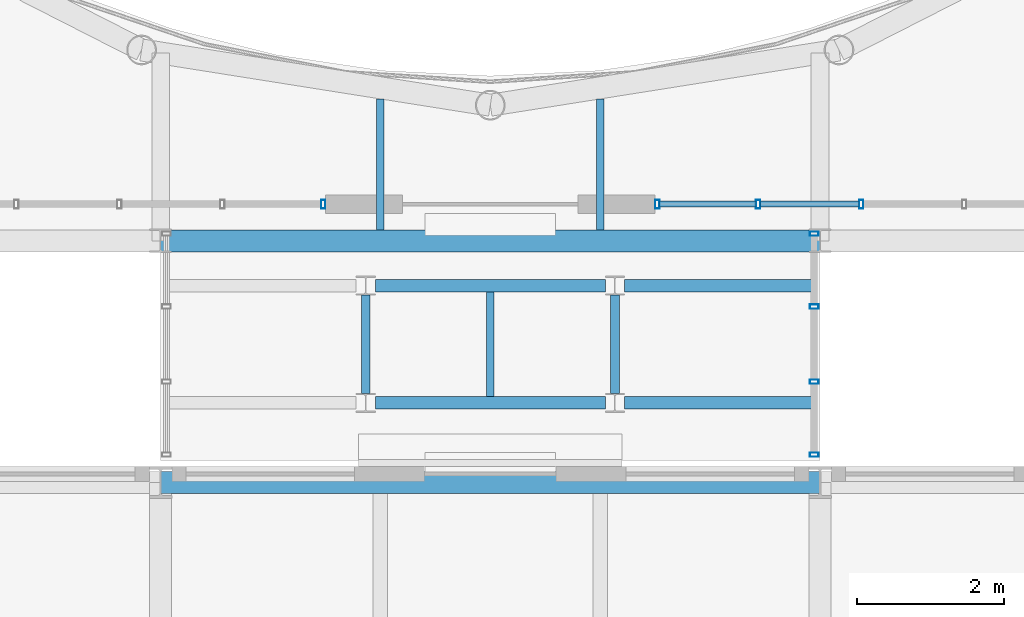
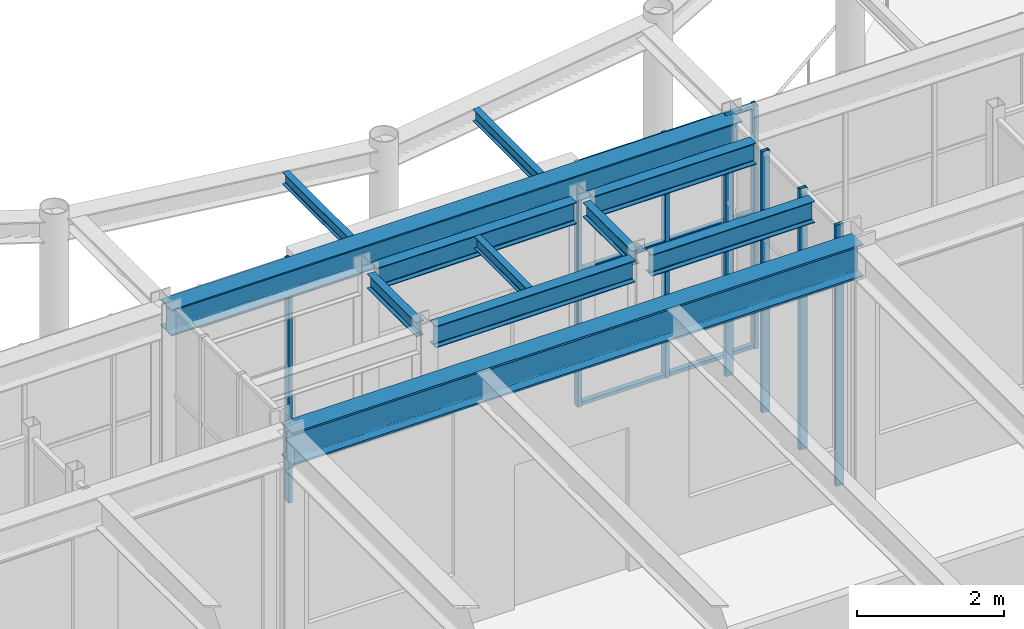
# One storey, part 39 of 111: 14 members, 11 beams, 3 elements without a shape of their own.
"""IFC4 building model written with IfcOpenShell, lengths in metres."""

import ifcopenshell
import ifcopenshell.guid

model = None  # the IFC model being written
_history = None  # IfcOwnerHistory: only IFC2X3 demands one
_inside = {}  # id of a spatial element -> (the spatial element, [elements in it])
_under = {}  # id of a project, library or spatial element -> (it, [spatial elements below it])
_declared = {}  # id of a project -> (the project, [libraries it declares])
_typed = {}  # id of a type object -> (the type object, [elements of that type])
_made_of = {}  # id of a material, layer set ... -> (it, [elements and type objects made of it])


def new_model(schema):
    """Start an empty IFC model of exactly this schema.

    Asked for "IFC4X3", IfcOpenShell would pick the latest addendum, in which some entities
    have other attributes; the version numbers below select the first issue.
    IFC2X3 requires an IfcOwnerHistory on every rooted entity: one is made here for all.
    """
    global model, _history
    if schema == "IFC4X3":
        model = ifcopenshell.file(schema_version=(4, 3, 0, 0))
    else:
        model = ifcopenshell.file(schema=schema)
    _inside.clear()
    _under.clear()
    _declared.clear()
    _typed.clear()
    _made_of.clear()
    _history = None
    if model.schema == "IFC2X3":
        org = make("IfcOrganization", Name="unknown")
        user = make(
            "IfcPersonAndOrganization",
            ThePerson=make("IfcPerson", FamilyName="unknown"),
            TheOrganization=org,
        )
        app = make(
            "IfcApplication",
            ApplicationDeveloper=org,
            Version="unknown",
            ApplicationFullName="unknown",
            ApplicationIdentifier="unknown",
        )
        _history = make(
            "IfcOwnerHistory",
            OwningUser=user,
            OwningApplication=app,
            ChangeAction="ADDED",
            CreationDate=0,
        )
    return model


def make(cls, **values):
    """One entity of the class cls with the attributes given. An attribute that is None is left unset."""
    return model.create_entity(
        cls, **{name: value for name, value in values.items() if value is not None}
    )


def rooted(cls, **values):
    """An entity with a GlobalId (a new one), such as an element, a storey or a relation."""
    return make(cls, GlobalId=ifcopenshell.guid.new(), OwnerHistory=_history, **values)


def si_unit(unit_type, name, prefix=None):
    """IfcSIUnit, for example si_unit("LENGTHUNIT", "METRE", prefix="MILLI")."""
    return make("IfcSIUnit", UnitType=unit_type, Prefix=prefix, Name=name)


def assignment(units):
    """IfcUnitAssignment: the units of a project."""
    return None if units is None else make("IfcUnitAssignment", Units=units)


def point(xyz):
    """IfcCartesianPoint."""
    return None if xyz is None else make("IfcCartesianPoint", Coordinates=xyz)


def direction(xyz):
    """IfcDirection."""
    return None if xyz is None else make("IfcDirection", DirectionRatios=xyz)


def frame(location, z_axis=None, x_axis=None):
    """IfcAxis2Placement3D, a coordinate frame: its origin and axes. An axis left out is left unset."""
    return make(
        "IfcAxis2Placement3D",
        Location=point(location),
        Axis=direction(z_axis),
        RefDirection=direction(x_axis),
    )


def frame_2d(location, x_axis=None):
    """IfcAxis2Placement2D, a coordinate frame in the plane: its origin and x axis."""
    return make(
        "IfcAxis2Placement2D", Location=point(location), RefDirection=direction(x_axis)
    )


def origin():
    """The frame at (0, 0, 0) with its axes left unset."""
    return frame((0.0, 0.0, 0.0))


def origin_2d():
    """The frame at (0, 0) in the plane with its x axis left unset."""
    return frame_2d((0.0, 0.0))


def place(relative_to, where):
    """IfcLocalPlacement: puts the frame where relative to a parent placement (None: the world)."""
    return make(
        "IfcLocalPlacement", PlacementRelTo=relative_to, RelativePlacement=where
    )


def context(
    kind, dimensions, precision=None, world=None, true_north=None, identifier=None
):
    """IfcGeometricRepresentationContext, for example the 3D "Model" context."""
    return make(
        "IfcGeometricRepresentationContext",
        ContextIdentifier=identifier,
        ContextType=kind,
        CoordinateSpaceDimension=dimensions,
        Precision=precision,
        WorldCoordinateSystem=world,
        TrueNorth=true_north,
    )


def subcontext(parent, identifier, kind, view, scale=None):
    """IfcGeometricRepresentationSubContext, for example "Body" below "Model"."""
    return make(
        "IfcGeometricRepresentationSubContext",
        ContextIdentifier=identifier,
        ContextType=kind,
        ParentContext=parent,
        TargetScale=scale,
        TargetView=view,
    )


def project(units=None, contexts=None):
    """IfcProject with its units and contexts."""
    return rooted(
        "IfcProject",
        Name="project",
        RepresentationContexts=contexts,
        UnitsInContext=assignment(units),
    )


def spatial(cls, under=None, at=None, **own):
    """A site, building, storey or space (cls), placed at a placement, below another one or the project."""
    s = rooted(cls, ObjectPlacement=at, **own)
    if under is not None:
        _under.setdefault(under.id(), (under, []))[1].append(s)
    return s


def profile(cls, at=None, kind="AREA", **sizes):
    """A parametric profile (cls). Its sizes go by their IFC names, for example OverallWidth=200.0."""
    return make(cls, ProfileType=kind, Position=at, **sizes)


def hollow_rectangle(**sizes):
    """IfcRectangleHollowProfileDef."""
    return profile("IfcRectangleHollowProfileDef", **sizes)


def i_section(**sizes):
    """IfcIShapeProfileDef."""
    return profile("IfcIShapeProfileDef", **sizes)


def extrude(swept, where, along, depth):
    """IfcExtrudedAreaSolid: the profile swept, set in the frame where, extruded along a direction by depth."""
    return make(
        "IfcExtrudedAreaSolid",
        SweptArea=swept,
        Position=where,
        ExtrudedDirection=direction(along),
        Depth=depth,
    )


def shape(context_of_items, identifier, shape_type, items):
    """IfcShapeRepresentation: the items that make up one representation, for example the "Body"."""
    return make(
        "IfcShapeRepresentation",
        ContextOfItems=context_of_items,
        RepresentationIdentifier=identifier,
        RepresentationType=shape_type,
        Items=items,
    )


def material(Name=None, Category=None):
    """IfcMaterial."""
    return make("IfcMaterial", Name=Name, Category=Category)


def layer(
    of_material, thickness, ventilated=None, Name=None, Category=None, Priority=None
):
    """IfcMaterialLayer: one layer of a wall or slab, of a material (None: an air gap)."""
    return make(
        "IfcMaterialLayer",
        Material=of_material,
        LayerThickness=thickness,
        IsVentilated=ventilated,
        Name=Name,
        Category=Category,
        Priority=Priority,
    )


def layer_set(layers, Name=None):
    """IfcMaterialLayerSet."""
    return make("IfcMaterialLayerSet", MaterialLayers=layers, LayerSetName=Name)


def material_profile(
    of_material, cross_section, Name=None, Category=None, Priority=None
):
    """IfcMaterialProfile: a cross section and its material."""
    return make(
        "IfcMaterialProfile",
        Name=Name,
        Material=of_material,
        Profile=cross_section,
        Priority=Priority,
        Category=Category,
    )


def profile_set(profiles, Name=None, composite=None):
    """IfcMaterialProfileSet."""
    return make(
        "IfcMaterialProfileSet",
        Name=Name,
        MaterialProfiles=profiles,
        CompositeProfile=composite,
    )


def made_of(thing, what):
    """Note that an element or type object is made of a material, layer set ...; save() writes the relation."""
    if what is not None:
        _made_of.setdefault(what.id(), (what, []))[1].append(thing)
    return thing


def type_object(cls, material=None, **own):
    """A type object (cls), such as IfcWallType, which elements share."""
    return made_of(rooted(cls, **own), material)


def element(
    cls,
    number,
    at=None,
    inside=None,
    cuts=None,
    type_object=None,
    material=None,
    context=None,
    identifier="Body",
    shape_type=None,
    held_by="IfcProductDefinitionShape",
    body=None,
    shapes=None,
    **own,
):
    """One element of the class cls, such as IfcWall. Its Tag is "e" and its number.

    at: its placement. inside: the storey or other place that contains it. cuts: it is an
    opening in that element (IfcRelVoidsElement). A single representation is given by context,
    identifier, shape_type and body (its items); several are given by shapes. held_by: the class
    of the entity that holds the representations. save() writes the other relations.
    """
    e = rooted(cls, Tag="e%d" % number, ObjectPlacement=at, **own)
    if body is not None:
        shapes = [shape(context, identifier, shape_type, body)]
    if shapes is not None:
        e.Representation = make(held_by, Representations=shapes)
    if inside is not None:
        _inside.setdefault(inside.id(), (inside, []))[1].append(e)
    if cuts is not None:
        rooted(
            "IfcRelVoidsElement", RelatingBuildingElement=cuts, RelatedOpeningElement=e
        )
    if type_object is not None:
        _typed.setdefault(type_object.id(), (type_object, []))[1].append(e)
    return made_of(e, material)


def aggregate(whole, parts):
    """IfcRelAggregates: a whole, such as a stair, and the parts it consists of."""
    return rooted("IfcRelAggregates", RelatingObject=whole, RelatedObjects=parts)


def save(model, path):
    """Write the relations noted so far, then the file.

    IfcRelAggregates (storeys below a building ...), IfcRelContainedInSpatialStructure (elements
    in a storey), IfcRelDefinesByType, IfcRelAssociatesMaterial and IfcRelDeclares: one each for
    every whole, place, type object, material and project.
    """
    for whole, parts in _under.values():
        aggregate(whole, parts)
    for where, things in _inside.values():
        rooted(
            "IfcRelContainedInSpatialStructure",
            RelatedElements=things,
            RelatingStructure=where,
        )
    for kind, things in _typed.values():
        rooted("IfcRelDefinesByType", RelatedObjects=things, RelatingType=kind)
    for what, things in _made_of.values():
        rooted("IfcRelAssociatesMaterial", RelatedObjects=things, RelatingMaterial=what)
    for by, libraries in _declared.values():
        rooted("IfcRelDeclares", RelatingContext=by, RelatedDefinitions=libraries)
    model.write(path)


model = new_model("IFC4")

# Units and contexts
model_context = context("Model", 3, precision=1e-05, world=origin(), true_north=direction((0.0, 1.0)))
body_context = subcontext(model_context, "Body", "Model", "MODEL_VIEW")
ifc_project = project(units=[si_unit("LENGTHUNIT", "METRE"), si_unit("AREAUNIT", "SQUARE_METRE"), si_unit("VOLUMEUNIT", "CUBIC_METRE"), si_unit("PLANEANGLEUNIT", "RADIAN"), si_unit("MASSUNIT", "GRAM", prefix="KILO")], contexts=[model_context])

# Site, building, storey
site_placement = place(None, origin())
site = spatial("IfcSite", under=ifc_project, at=site_placement, CompositionType="ELEMENT")
building_placement = place(site_placement, origin())
building = spatial("IfcBuilding", under=site, at=building_placement, Name="Kallimachos Central Library", CompositionType="ELEMENT")
storey_placement = place(building_placement, frame((0.0, 0.0, 14.39990234375)))
storey = spatial("IfcBuildingStorey", under=building, at=storey_placement, Name="L03", CompositionType="ELEMENT", Elevation=14.39990234375)

# Curtain wall, members
ifc_material_1 = material(Name="Aluminium and laminated glass", Category="aluminium")
curtain_wall_type_1 = type_object("IfcCurtainWallType", Name="Link glazed wall", PredefinedType="NOTDEFINED", material=ifc_material_1)
curtain_wall_1_placement = place(storey_placement, origin())
curtain_wall_1 = element("IfcCurtainWall", 1, at=curtain_wall_1_placement, inside=storey, type_object=curtain_wall_type_1, Name="Reading Link glazed wall L03", PredefinedType="NOTDEFINED")
ifc_material_2 = material(Name="Anodised aluminium", Category="aluminium")
ifc_material_profile_1 = material_profile(ifc_material_2, hollow_rectangle(XDim=0.06005859375, YDim=0.1201171875, WallThickness=0.00390625, at=origin_2d()), Name="ALU MULLION 60x120")
ifc_profile_set_1 = profile_set([ifc_material_profile_1], Name="Anodised aluminium")
member_type_1 = type_object("IfcMemberType", Name="ALU MULLION 60x120 mullion", PredefinedType="MULLION", material=ifc_profile_set_1)
member_1_placement = place(storey_placement, frame((92.419921875, 84.22998046875, 0.0), z_axis=(0.0, 0.0, 1.0), x_axis=(0.0, 1.0, 0.0)))
member_1 = element("IfcMember", 2, at=member_1_placement, type_object=member_type_1, Name="CW69 mullion 1", PredefinedType="MULLION", context=body_context, shape_type="SweptSolid", body=[
    extrude(hollow_rectangle(XDim=0.06005859375, YDim=0.1201171875, WallThickness=0.00390625, at=origin_2d()), origin(), (0.0, 0.0, 1.0), 4.35009765625),
])
member_2_placement = place(storey_placement, frame((92.419921875, 85.22509765625, 0.0), z_axis=(0.0, 0.0, 1.0), x_axis=(0.0, 1.0, 0.0)))
member_2 = element("IfcMember", 3, at=member_2_placement, type_object=member_type_1, Name="CW69 mullion 2", PredefinedType="MULLION", context=body_context, shape_type="SweptSolid", body=[
    extrude(hollow_rectangle(XDim=0.06005859375, YDim=0.1201171875, WallThickness=0.00390625, at=origin_2d()), origin(), (0.0, 0.0, 1.0), 4.35009765625),
])
member_3_placement = place(storey_placement, frame((92.419921875, 86.25, 0.0), z_axis=(0.0, 0.0, 1.0), x_axis=(0.0, 1.0, 0.0)))
member_3 = element("IfcMember", 4, at=member_3_placement, type_object=member_type_1, Name="CW69 mullion 3", PredefinedType="MULLION", context=body_context, shape_type="SweptSolid", body=[
    extrude(hollow_rectangle(XDim=0.06005859375, YDim=0.1201171875, WallThickness=0.00390625, at=origin_2d()), origin(), (0.0, 0.0, 1.0), 4.35009765625),
])
member_4_placement = place(storey_placement, frame((92.419921875, 87.2451171875, 0.0), z_axis=(0.0, 0.0, 1.0), x_axis=(0.0, 1.0, 0.0)))
member_4 = element("IfcMember", 5, at=member_4_placement, type_object=member_type_1, Name="CW69 mullion 4", PredefinedType="MULLION", context=body_context, shape_type="SweptSolid", body=[
    extrude(hollow_rectangle(XDim=0.06005859375, YDim=0.1201171875, WallThickness=0.00390625, at=origin_2d()), origin(), (0.0, 0.0, 1.0), 4.35009765625),
])
aggregate(curtain_wall_1, [member_1, member_2, member_3, member_4])

# Curtain wall, member
ifc_material_3 = material(Name="Anodised aluminium and laminated glass", Category="aluminium")
ifc_layer = layer(ifc_material_3, 0.159912109375)
ifc_layer_set = layer_set([ifc_layer], Name="Glass box curtain wall")
curtain_wall_type_2 = type_object("IfcCurtainWallType", Name="Glass box curtain wall", PredefinedType="NOTDEFINED", material=ifc_layer_set)
curtain_wall_2_placement = place(storey_placement, origin())
curtain_wall_2 = element("IfcCurtainWall", 6, at=curtain_wall_2_placement, inside=storey, type_object=curtain_wall_type_2, Name="Glass box curtain wall S L03", PredefinedType="NOTDEFINED")
ifc_material_4 = material(Name="Anodised aluminium", Category="aluminium")
ifc_material_profile_2 = material_profile(ifc_material_4, hollow_rectangle(XDim=0.06005859375, YDim=0.1201171875, WallThickness=0.00390625, at=origin_2d()), Name="ALU MULLION 60x120")
ifc_profile_set_2 = profile_set([ifc_material_profile_2], Name="Anodised aluminium")
member_type_2 = type_object("IfcMemberType", Name="Glass box mullion 60x120", PredefinedType="MULLION", material=ifc_profile_set_2)
member_5_placement = place(storey_placement, frame((85.719970703125, 87.64990234375, 0.0), z_axis=(0.0, 0.0, 1.0), x_axis=(1.0, 0.0, 0.0)))
member_5 = element("IfcMember", 7, at=member_5_placement, type_object=member_type_2, Name="CW21 mullion 9", PredefinedType="MULLION", context=body_context, shape_type="SweptSolid", body=[
    extrude(hollow_rectangle(XDim=0.06005859375, YDim=0.1201171875, WallThickness=0.00390625, at=origin_2d()), origin(), (0.0, 0.0, 1.0), 4.050048828125),
])
aggregate(curtain_wall_2, [member_5])

# Curtain wall, members
curtain_wall_3_placement = place(storey_placement, origin())
curtain_wall_3 = element("IfcCurtainWall", 8, at=curtain_wall_3_placement, inside=storey, type_object=curtain_wall_type_2, Name="Glass box curtain wall S L03", PredefinedType="NOTDEFINED")
member_6_placement = place(storey_placement, frame((90.280029296875, 87.64990234375, 0.0), z_axis=(0.0, 0.0, 1.0), x_axis=(1.0, 0.0, 0.0)))
member_6 = element("IfcMember", 9, at=member_6_placement, type_object=member_type_2, Name="CW22 mullion 1", PredefinedType="MULLION", context=body_context, shape_type="SweptSolid", body=[
    extrude(hollow_rectangle(XDim=0.06005859375, YDim=0.1201171875, WallThickness=0.00390625, at=origin_2d()), origin(), (0.0, 0.0, 1.0), 4.050048828125),
])
member_7_placement = place(storey_placement, frame((91.65625, 87.64990234375, 0.0), z_axis=(0.0, 0.0, 1.0), x_axis=(1.0, 0.0, 0.0)))
member_7 = element("IfcMember", 10, at=member_7_placement, type_object=member_type_2, Name="CW22 mullion 2", PredefinedType="MULLION", context=body_context, shape_type="SweptSolid", body=[
    extrude(hollow_rectangle(XDim=0.06005859375, YDim=0.1201171875, WallThickness=0.00390625, at=origin_2d()), origin(), (0.0, 0.0, 1.0), 4.050048828125),
])
member_8_placement = place(storey_placement, frame((93.0625, 87.64990234375, 0.0), z_axis=(0.0, 0.0, 1.0), x_axis=(1.0, 0.0, 0.0)))
member_8 = element("IfcMember", 11, at=member_8_placement, type_object=member_type_2, Name="CW22 mullion 3", PredefinedType="MULLION", context=body_context, shape_type="SweptSolid", body=[
    extrude(hollow_rectangle(XDim=0.06005859375, YDim=0.1201171875, WallThickness=0.00390625, at=origin_2d()), origin(), (0.0, 0.0, 1.0), 4.050048828125),
])
ifc_material_5 = material(Name="Anodised aluminium", Category="aluminium")
ifc_material_profile_3 = material_profile(ifc_material_5, hollow_rectangle(XDim=0.06005859375, YDim=0.080078125, WallThickness=0.00390625, at=origin_2d()), Name="ALU TRANSOM 60x80")
ifc_profile_set_3 = profile_set([ifc_material_profile_3], Name="Anodised aluminium")
member_type_3 = type_object("IfcMemberType", Name="Glass box transom 60x80", PredefinedType="USERDEFINED", material=ifc_profile_set_3)
member_9_placement = place(storey_placement, frame((90.31005859375, 87.64990234375, 0.030029296875), z_axis=(1.0, 0.0, 0.0), x_axis=(0.0, 0.0, 1.0)))
member_9 = element("IfcMember", 12, at=member_9_placement, type_object=member_type_3, Name="CW22 transom 1.1", ObjectType="TRANSOM", PredefinedType="USERDEFINED", context=body_context, shape_type="SweptSolid", body=[
    extrude(hollow_rectangle(XDim=0.06005859375, YDim=0.080078125, WallThickness=0.00390625, at=origin_2d()), origin(), (0.0, 0.0, 1.0), 1.316162109375),
])
member_10_placement = place(storey_placement, frame((90.31005859375, 87.64990234375, 2.25), z_axis=(1.0, 0.0, 0.0), x_axis=(0.0, 0.0, 1.0)))
member_10 = element("IfcMember", 13, at=member_10_placement, type_object=member_type_3, Name="CW22 transom 1.2", ObjectType="TRANSOM", PredefinedType="USERDEFINED", context=body_context, shape_type="SweptSolid", body=[
    extrude(hollow_rectangle(XDim=0.06005859375, YDim=0.080078125, WallThickness=0.00390625, at=origin_2d()), origin(), (0.0, 0.0, 1.0), 1.316162109375),
])
member_11_placement = place(storey_placement, frame((90.31005859375, 87.64990234375, 4.02001953125), z_axis=(1.0, 0.0, 0.0), x_axis=(0.0, 0.0, 1.0)))
member_11 = element("IfcMember", 14, at=member_11_placement, type_object=member_type_3, Name="CW22 transom 1.3", ObjectType="TRANSOM", PredefinedType="USERDEFINED", context=body_context, shape_type="SweptSolid", body=[
    extrude(hollow_rectangle(XDim=0.06005859375, YDim=0.080078125, WallThickness=0.00390625, at=origin_2d()), origin(), (0.0, 0.0, 1.0), 1.316162109375),
])
member_12_placement = place(storey_placement, frame((91.686279296875, 87.64990234375, 0.030029296875), z_axis=(1.0, 0.0, 0.0), x_axis=(0.0, 0.0, 1.0)))
member_12 = element("IfcMember", 15, at=member_12_placement, type_object=member_type_3, Name="CW22 transom 2.1", ObjectType="TRANSOM", PredefinedType="USERDEFINED", context=body_context, shape_type="SweptSolid", body=[
    extrude(hollow_rectangle(XDim=0.06005859375, YDim=0.080078125, WallThickness=0.00390625, at=origin_2d()), origin(), (0.0, 0.0, 1.0), 1.34619140625),
])
member_13_placement = place(storey_placement, frame((91.686279296875, 87.64990234375, 2.25), z_axis=(1.0, 0.0, 0.0), x_axis=(0.0, 0.0, 1.0)))
member_13 = element("IfcMember", 16, at=member_13_placement, type_object=member_type_3, Name="CW22 transom 2.2", ObjectType="TRANSOM", PredefinedType="USERDEFINED", context=body_context, shape_type="SweptSolid", body=[
    extrude(hollow_rectangle(XDim=0.06005859375, YDim=0.080078125, WallThickness=0.00390625, at=origin_2d()), origin(), (0.0, 0.0, 1.0), 1.34619140625),
])
member_14_placement = place(storey_placement, frame((91.686279296875, 87.64990234375, 4.02001953125), z_axis=(1.0, 0.0, 0.0), x_axis=(0.0, 0.0, 1.0)))
member_14 = element("IfcMember", 17, at=member_14_placement, type_object=member_type_3, Name="CW22 transom 2.3", ObjectType="TRANSOM", PredefinedType="USERDEFINED", context=body_context, shape_type="SweptSolid", body=[
    extrude(hollow_rectangle(XDim=0.06005859375, YDim=0.080078125, WallThickness=0.00390625, at=origin_2d()), origin(), (0.0, 0.0, 1.0), 1.34619140625),
])
aggregate(curtain_wall_3, [member_6, member_7, member_8, member_9, member_10, member_11, member_12, member_13, member_14])

# Beams
ifc_material_6 = material(Name="Steel S355J2", Category="steel")
ifc_material_profile_4 = material_profile(ifc_material_6, i_section(OverallWidth=0.300048828125, OverallDepth=0.43994140625, WebThickness=0.011474609375, FlangeThickness=0.02099609375, FilletRadius=0.027099609375, at=origin_2d()), Name="HEA 450")
ifc_profile_set_4 = profile_set([ifc_material_profile_4], Name="Steel S355J2")
beam_type_1 = type_object("IfcBeamType", Name="HEA 450 beam", PredefinedType="BEAM", material=ifc_profile_set_4)
beam_1_placement = place(storey_placement, frame((83.5, 87.14990234375, 4.130126953125), z_axis=(1.0, 0.0, 0.0), x_axis=(0.0, 1.0, 0.0)))
element("IfcBeam", 18, at=beam_1_placement, inside=storey, type_object=beam_type_1, Name="V1-BEM-L03-040", PredefinedType="BEAM", context=body_context, shape_type="SweptSolid", body=[
    extrude(i_section(OverallWidth=0.300048828125, OverallDepth=0.43994140625, WebThickness=0.011474609375, FlangeThickness=0.02099609375, FilletRadius=0.027099609375, at=origin_2d()), origin(), (0.0, 0.0, 1.0), 9.0),
])
ifc_material_7 = material(Name="Steel S355J2", Category="steel")
ifc_material_profile_5 = material_profile(ifc_material_7, i_section(OverallWidth=0.300048828125, OverallDepth=0.550048828125, WebThickness=0.014892578125, FlangeThickness=0.029052734375, FilletRadius=0.027099609375, at=origin_2d()), Name="HEB 550")
ifc_profile_set_5 = profile_set([ifc_material_profile_5], Name="Steel S355J2")
beam_type_2 = type_object("IfcBeamType", Name="HEB 550 beam", PredefinedType="BEAM", material=ifc_profile_set_5)
beam_2_placement = place(storey_placement, frame((83.5, 83.85009765625, 4.025146484375), z_axis=(1.0, 0.0, 0.0), x_axis=(0.0, 1.0, 0.0)))
element("IfcBeam", 19, at=beam_2_placement, inside=storey, type_object=beam_type_2, Name="V4-BEM-L03-006", PredefinedType="BEAM", context=body_context, shape_type="SweptSolid", body=[
    extrude(i_section(OverallWidth=0.300048828125, OverallDepth=0.550048828125, WebThickness=0.014892578125, FlangeThickness=0.029052734375, FilletRadius=0.027099609375, at=origin_2d()), origin(), (0.0, 0.0, 1.0), 9.0),
])
ifc_material_8 = material(Name="Steel S355J2", Category="steel")
ifc_material_profile_6 = material_profile(ifc_material_8, i_section(OverallWidth=0.10009765625, OverallDepth=0.199951171875, WebThickness=0.005615234375, FlangeThickness=0.008544921875, FilletRadius=0.011962890625, at=origin_2d()), Name="IPE 200")
ifc_profile_set_6 = profile_set([ifc_material_profile_6], Name="Steel S355J2")
beam_type_3 = type_object("IfcBeamType", Name="IPE 200 beam", PredefinedType="BEAM", material=ifc_profile_set_6)
for number, where, z_axis, x_axis, name in (
    (20, (86.5, 87.300048828125, 4.25), (0.0, 1.0, 0.0), (-1.0, 0.0, 0.0), "V1-BEM-L03-057"),
    (21, (89.5, 87.300048828125, 4.25), (0.0, 1.0, 0.0), (-1.0, 0.0, 0.0), "V1-BEM-L03-059"),
):
    element("IfcBeam", number, at=place(storey_placement, frame(where, z_axis=z_axis, x_axis=x_axis)), inside=storey, type_object=beam_type_3, Name=name, PredefinedType="BEAM", context=body_context, shape_type="SweptSolid", body=[
        extrude(i_section(OverallWidth=0.10009765625, OverallDepth=0.199951171875, WebThickness=0.005615234375, FlangeThickness=0.008544921875, FilletRadius=0.011962890625, at=origin_2d()), origin(), (0.0, 0.0, 1.0), 1.78564453125),
    ])
beam_3_placement = place(storey_placement, frame((88.0, 85.0224609375, 4.25), z_axis=(0.0, 1.0, 0.0), x_axis=(-1.0, 0.0, 0.0)))
element("IfcBeam", 22, at=beam_3_placement, inside=storey, type_object=beam_type_3, Name="links-BEM-L03-007", PredefinedType="BEAM", context=body_context, shape_type="SweptSolid", body=[
    extrude(i_section(OverallWidth=0.10009765625, OverallDepth=0.199951171875, WebThickness=0.005615234375, FlangeThickness=0.008544921875, FilletRadius=0.011962890625, at=origin_2d()), origin(), (0.0, 0.0, 1.0), 1.429931640625),
])
ifc_material_9 = material(Name="Steel S355J2", Category="steel")
ifc_material_profile_7 = material_profile(ifc_material_9, i_section(OverallWidth=0.1201171875, OverallDepth=0.239990234375, WebThickness=0.006103515625, FlangeThickness=0.009765625, FilletRadius=0.014892578125, at=origin_2d()), Name="IPE 240")
ifc_profile_set_7 = profile_set([ifc_material_profile_7], Name="Steel S355J2")
beam_type_4 = type_object("IfcBeamType", Name="IPE 240 beam", PredefinedType="BEAM", material=ifc_profile_set_7)
for number, where, z_axis, x_axis, name in (
    (23, (86.300048828125, 85.0673828125, 4.22998046875), (0.0, 1.0, 0.0), (-1.0, 0.0, 0.0), "links-BEM-L03-008"),
    (24, (89.699951171875, 85.0673828125, 4.22998046875), (0.0, 1.0, 0.0), (-1.0, 0.0, 0.0), "links-BEM-L03-009"),
):
    element("IfcBeam", number, at=place(storey_placement, frame(where, z_axis=z_axis, x_axis=x_axis)), inside=storey, type_object=beam_type_4, Name=name, PredefinedType="BEAM", context=body_context, shape_type="SweptSolid", body=[
        extrude(i_section(OverallWidth=0.1201171875, OverallDepth=0.239990234375, WebThickness=0.006103515625, FlangeThickness=0.009765625, FilletRadius=0.014892578125, at=origin_2d()), origin(), (0.0, 0.0, 1.0), 1.340087890625),
    ])
ifc_material_10 = material(Name="Steel S355J2", Category="steel")
ifc_material_profile_8 = material_profile(ifc_material_10, i_section(OverallWidth=0.169921875, OverallDepth=0.360107421875, WebThickness=0.008056640625, FlangeThickness=0.0126953125, FilletRadius=0.01806640625, at=origin_2d()), Name="IPE 360")
ifc_profile_set_8 = profile_set([ifc_material_profile_8], Name="Steel S355J2")
beam_type_5 = type_object("IfcBeamType", Name="IPE 360 beam", PredefinedType="BEAM", material=ifc_profile_set_8)
beam_4_placement = place(storey_placement, frame((86.429931640625, 84.9375, 4.170166015625), z_axis=(1.0, 0.0, 0.0), x_axis=(0.0, 1.0, 0.0)))
element("IfcBeam", 25, at=beam_4_placement, inside=storey, type_object=beam_type_5, Name="links-BEM-L03-002", PredefinedType="BEAM", context=body_context, shape_type="SweptSolid", body=[
    extrude(i_section(OverallWidth=0.169921875, OverallDepth=0.360107421875, WebThickness=0.008056640625, FlangeThickness=0.0126953125, FilletRadius=0.01806640625, at=origin_2d()), origin(), (0.0, 0.0, 1.0), 3.14013671875),
])
beam_5_placement = place(storey_placement, frame((89.830078125, 84.9375, 4.170166015625), z_axis=(1.0, 0.0, 0.0), x_axis=(0.0, 1.0, 0.0)))
element("IfcBeam", 26, at=beam_5_placement, inside=storey, type_object=beam_type_5, Name="links-BEM-L03-003", PredefinedType="BEAM", context=body_context, shape_type="SweptSolid", body=[
    extrude(i_section(OverallWidth=0.169921875, OverallDepth=0.360107421875, WebThickness=0.008056640625, FlangeThickness=0.0126953125, FilletRadius=0.01806640625, at=origin_2d()), origin(), (0.0, 0.0, 1.0), 2.56982421875),
])
beam_6_placement = place(storey_placement, frame((86.429931640625, 86.53759765625, 4.170166015625), z_axis=(1.0, 0.0, 0.0), x_axis=(0.0, 1.0, 0.0)))
element("IfcBeam", 27, at=beam_6_placement, inside=storey, type_object=beam_type_5, Name="links-BEM-L03-005", PredefinedType="BEAM", context=body_context, shape_type="SweptSolid", body=[
    extrude(i_section(OverallWidth=0.169921875, OverallDepth=0.360107421875, WebThickness=0.008056640625, FlangeThickness=0.0126953125, FilletRadius=0.01806640625, at=origin_2d()), origin(), (0.0, 0.0, 1.0), 3.14013671875),
])
beam_7_placement = place(storey_placement, frame((89.830078125, 86.53759765625, 4.170166015625), z_axis=(1.0, 0.0, 0.0), x_axis=(0.0, 1.0, 0.0)))
element("IfcBeam", 28, at=beam_7_placement, inside=storey, type_object=beam_type_5, Name="links-BEM-L03-006", PredefinedType="BEAM", context=body_context, shape_type="SweptSolid", body=[
    extrude(i_section(OverallWidth=0.169921875, OverallDepth=0.360107421875, WebThickness=0.008056640625, FlangeThickness=0.0126953125, FilletRadius=0.01806640625, at=origin_2d()), origin(), (0.0, 0.0, 1.0), 2.56982421875),
])

save(model, "model.ifc")
